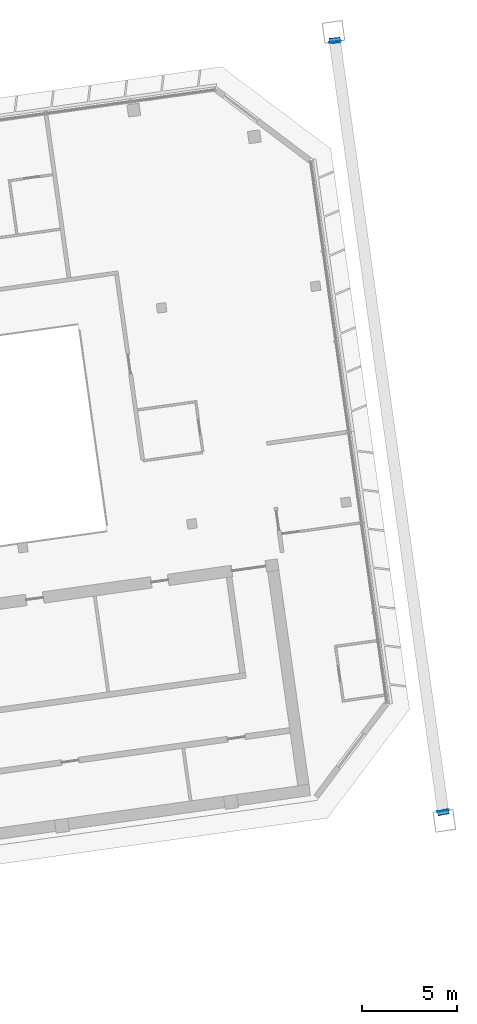
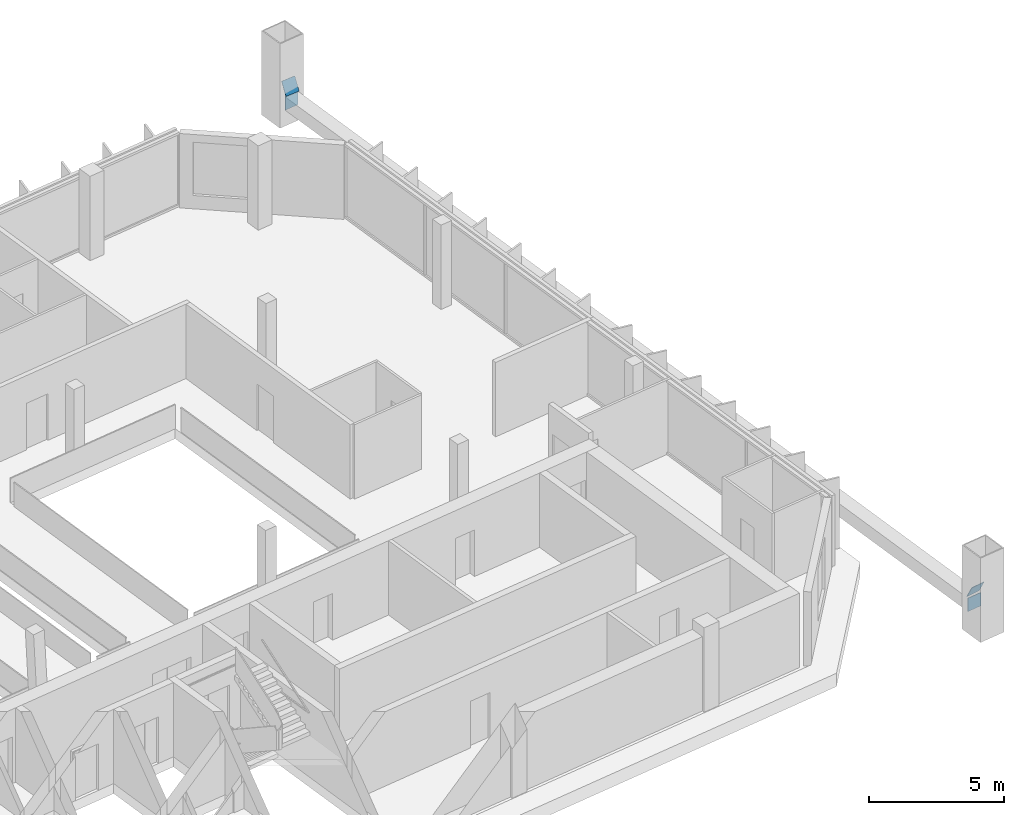
# One storey, part 24 of 26: 4 discrete accessories.
"""IFC4 building model written with IfcOpenShell, lengths in metres."""

import ifcopenshell
import ifcopenshell.guid

model = None  # the IFC model being written
_history = None  # IfcOwnerHistory: only IFC2X3 demands one
_inside = {}  # id of a spatial element -> (the spatial element, [elements in it])
_under = {}  # id of a project, library or spatial element -> (it, [spatial elements below it])
_declared = {}  # id of a project -> (the project, [libraries it declares])
_typed = {}  # id of a type object -> (the type object, [elements of that type])
_made_of = {}  # id of a material, layer set ... -> (it, [elements and type objects made of it])


def new_model(schema):
    """Start an empty IFC model of exactly this schema.

    Asked for "IFC4X3", IfcOpenShell would pick the latest addendum, in which some entities
    have other attributes; the version numbers below select the first issue.
    IFC2X3 requires an IfcOwnerHistory on every rooted entity: one is made here for all.
    """
    global model, _history
    if schema == "IFC4X3":
        model = ifcopenshell.file(schema_version=(4, 3, 0, 0))
    else:
        model = ifcopenshell.file(schema=schema)
    _inside.clear()
    _under.clear()
    _declared.clear()
    _typed.clear()
    _made_of.clear()
    _history = None
    if model.schema == "IFC2X3":
        org = make("IfcOrganization", Name="unknown")
        user = make(
            "IfcPersonAndOrganization",
            ThePerson=make("IfcPerson", FamilyName="unknown"),
            TheOrganization=org,
        )
        app = make(
            "IfcApplication",
            ApplicationDeveloper=org,
            Version="unknown",
            ApplicationFullName="unknown",
            ApplicationIdentifier="unknown",
        )
        _history = make(
            "IfcOwnerHistory",
            OwningUser=user,
            OwningApplication=app,
            ChangeAction="ADDED",
            CreationDate=0,
        )
    return model


def make(cls, **values):
    """One entity of the class cls with the attributes given. An attribute that is None is left unset."""
    return model.create_entity(
        cls, **{name: value for name, value in values.items() if value is not None}
    )


def rooted(cls, **values):
    """An entity with a GlobalId (a new one), such as an element, a storey or a relation."""
    return make(cls, GlobalId=ifcopenshell.guid.new(), OwnerHistory=_history, **values)


def si_unit(unit_type, name, prefix=None):
    """IfcSIUnit, for example si_unit("LENGTHUNIT", "METRE", prefix="MILLI")."""
    return make("IfcSIUnit", UnitType=unit_type, Prefix=prefix, Name=name)


def assignment(units):
    """IfcUnitAssignment: the units of a project."""
    return None if units is None else make("IfcUnitAssignment", Units=units)


def point(xyz):
    """IfcCartesianPoint."""
    return None if xyz is None else make("IfcCartesianPoint", Coordinates=xyz)


def direction(xyz):
    """IfcDirection."""
    return None if xyz is None else make("IfcDirection", DirectionRatios=xyz)


def frame(location, z_axis=None, x_axis=None):
    """IfcAxis2Placement3D, a coordinate frame: its origin and axes. An axis left out is left unset."""
    return make(
        "IfcAxis2Placement3D",
        Location=point(location),
        Axis=direction(z_axis),
        RefDirection=direction(x_axis),
    )


def frame_2d(location, x_axis=None):
    """IfcAxis2Placement2D, a coordinate frame in the plane: its origin and x axis."""
    return make(
        "IfcAxis2Placement2D", Location=point(location), RefDirection=direction(x_axis)
    )


def origin():
    """The frame at (0, 0, 0) with its axes left unset."""
    return frame((0.0, 0.0, 0.0))


def origin_2d():
    """The frame at (0, 0) in the plane with its x axis left unset."""
    return frame_2d((0.0, 0.0))


def place(relative_to, where):
    """IfcLocalPlacement: puts the frame where relative to a parent placement (None: the world)."""
    return make(
        "IfcLocalPlacement", PlacementRelTo=relative_to, RelativePlacement=where
    )


def context(
    kind, dimensions, precision=None, world=None, true_north=None, identifier=None
):
    """IfcGeometricRepresentationContext, for example the 3D "Model" context."""
    return make(
        "IfcGeometricRepresentationContext",
        ContextIdentifier=identifier,
        ContextType=kind,
        CoordinateSpaceDimension=dimensions,
        Precision=precision,
        WorldCoordinateSystem=world,
        TrueNorth=true_north,
    )


def subcontext(parent, identifier, kind, view, scale=None):
    """IfcGeometricRepresentationSubContext, for example "Body" below "Model"."""
    return make(
        "IfcGeometricRepresentationSubContext",
        ContextIdentifier=identifier,
        ContextType=kind,
        ParentContext=parent,
        TargetScale=scale,
        TargetView=view,
    )


def project(units=None, contexts=None):
    """IfcProject with its units and contexts."""
    return rooted(
        "IfcProject",
        Name="project",
        RepresentationContexts=contexts,
        UnitsInContext=assignment(units),
    )


def spatial(cls, under=None, at=None, **own):
    """A site, building, storey or space (cls), placed at a placement, below another one or the project."""
    s = rooted(cls, ObjectPlacement=at, **own)
    if under is not None:
        _under.setdefault(under.id(), (under, []))[1].append(s)
    return s


def profile(cls, at=None, kind="AREA", **sizes):
    """A parametric profile (cls). Its sizes go by their IFC names, for example OverallWidth=200.0."""
    return make(cls, ProfileType=kind, Position=at, **sizes)


def rectangle(**sizes):
    """IfcRectangleProfileDef."""
    return profile("IfcRectangleProfileDef", **sizes)


def extrude(swept, where, along, depth):
    """IfcExtrudedAreaSolid: the profile swept, set in the frame where, extruded along a direction by depth."""
    return make(
        "IfcExtrudedAreaSolid",
        SweptArea=swept,
        Position=where,
        ExtrudedDirection=direction(along),
        Depth=depth,
    )


def shape(context_of_items, identifier, shape_type, items):
    """IfcShapeRepresentation: the items that make up one representation, for example the "Body"."""
    return make(
        "IfcShapeRepresentation",
        ContextOfItems=context_of_items,
        RepresentationIdentifier=identifier,
        RepresentationType=shape_type,
        Items=items,
    )


def material(Name=None, Category=None):
    """IfcMaterial."""
    return make("IfcMaterial", Name=Name, Category=Category)


def material_profile(
    of_material, cross_section, Name=None, Category=None, Priority=None
):
    """IfcMaterialProfile: a cross section and its material."""
    return make(
        "IfcMaterialProfile",
        Name=Name,
        Material=of_material,
        Profile=cross_section,
        Priority=Priority,
        Category=Category,
    )


def profile_set(profiles, Name=None, composite=None):
    """IfcMaterialProfileSet."""
    return make(
        "IfcMaterialProfileSet",
        Name=Name,
        MaterialProfiles=profiles,
        CompositeProfile=composite,
    )


def made_of(thing, what):
    """Note that an element or type object is made of a material, layer set ...; save() writes the relation."""
    if what is not None:
        _made_of.setdefault(what.id(), (what, []))[1].append(thing)
    return thing


def type_object(cls, material=None, **own):
    """A type object (cls), such as IfcWallType, which elements share."""
    return made_of(rooted(cls, **own), material)


def element(
    cls,
    number,
    at=None,
    inside=None,
    cuts=None,
    type_object=None,
    material=None,
    context=None,
    identifier="Body",
    shape_type=None,
    held_by="IfcProductDefinitionShape",
    body=None,
    shapes=None,
    **own,
):
    """One element of the class cls, such as IfcWall. Its Tag is "e" and its number.

    at: its placement. inside: the storey or other place that contains it. cuts: it is an
    opening in that element (IfcRelVoidsElement). A single representation is given by context,
    identifier, shape_type and body (its items); several are given by shapes. held_by: the class
    of the entity that holds the representations. save() writes the other relations.
    """
    e = rooted(cls, Tag="e%d" % number, ObjectPlacement=at, **own)
    if body is not None:
        shapes = [shape(context, identifier, shape_type, body)]
    if shapes is not None:
        e.Representation = make(held_by, Representations=shapes)
    if inside is not None:
        _inside.setdefault(inside.id(), (inside, []))[1].append(e)
    if cuts is not None:
        rooted(
            "IfcRelVoidsElement", RelatingBuildingElement=cuts, RelatedOpeningElement=e
        )
    if type_object is not None:
        _typed.setdefault(type_object.id(), (type_object, []))[1].append(e)
    return made_of(e, material)


def aggregate(whole, parts):
    """IfcRelAggregates: a whole, such as a stair, and the parts it consists of."""
    return rooted("IfcRelAggregates", RelatingObject=whole, RelatedObjects=parts)


def save(model, path):
    """Write the relations noted so far, then the file.

    IfcRelAggregates (storeys below a building ...), IfcRelContainedInSpatialStructure (elements
    in a storey), IfcRelDefinesByType, IfcRelAssociatesMaterial and IfcRelDeclares: one each for
    every whole, place, type object, material and project.
    """
    for whole, parts in _under.values():
        aggregate(whole, parts)
    for where, things in _inside.values():
        rooted(
            "IfcRelContainedInSpatialStructure",
            RelatedElements=things,
            RelatingStructure=where,
        )
    for kind, things in _typed.values():
        rooted("IfcRelDefinesByType", RelatedObjects=things, RelatingType=kind)
    for what, things in _made_of.values():
        rooted("IfcRelAssociatesMaterial", RelatedObjects=things, RelatingMaterial=what)
    for by, libraries in _declared.values():
        rooted("IfcRelDeclares", RelatingContext=by, RelatedDefinitions=libraries)
    model.write(path)


model = new_model("IFC4")

# Units and contexts
model_context = context("Model", 3, precision=1e-05, world=origin(), true_north=direction((0.0, 1.0)))
body_context = subcontext(model_context, "Body", "Model", "MODEL_VIEW")
ifc_project = project(units=[si_unit("LENGTHUNIT", "METRE"), si_unit("AREAUNIT", "SQUARE_METRE"), si_unit("VOLUMEUNIT", "CUBIC_METRE"), si_unit("PLANEANGLEUNIT", "RADIAN"), si_unit("MASSUNIT", "GRAM", prefix="KILO")], contexts=[model_context])

# Site, building, storey
site_placement = place(None, origin())
site = spatial("IfcSite", under=ifc_project, at=site_placement, CompositionType="ELEMENT")
building_placement = place(site_placement, origin())
building = spatial("IfcBuilding", under=site, at=building_placement, Name="Mirante Cascada Hotel Towers", CompositionType="ELEMENT")
storey_placement = place(building_placement, frame((0.0, 0.0, 216.6)))
storey = spatial("IfcBuildingStorey", under=building, at=storey_placement, Name="L51", CompositionType="ELEMENT", Elevation=216.6)

# Discrete accessories
ifc_material = material(Name="Steel ASTM A572 Gr 50", Category="steel")
ifc_material_profile = material_profile(ifc_material, rectangle(XDim=0.6, YDim=0.6, at=origin_2d()), Name="Connection plate 600x600x25 ASTM A572 Gr 50")
ifc_profile_set = profile_set([ifc_material_profile], Name="Steel ASTM A572 Gr 50")
discrete_accessory_type = type_object("IfcDiscreteAccessoryType", Name="Connection plate 600x600x25 ASTM A572 Gr 50", PredefinedType="BRACKET", material=ifc_profile_set)
for number, where, z_axis, x_axis, name in (
    (1, (79.403, -15.8079, 1.6086), (-0.1640919, 0.8724887, 0.4602578), (-0.98277, -0.1848329, 0.0), "Connection plate MB-OL51L"),
    (2, (73.6832, 24.8904, 1.6086), (0.0839953, -0.8839505, 0.4599742), (0.9955157, 0.0945965, 0.0), "Connection plate MB-OL51R"),
):
    element("IfcDiscreteAccessory", number, at=place(storey_placement, frame(where, z_axis=z_axis, x_axis=x_axis)), inside=storey, type_object=discrete_accessory_type, Name=name, PredefinedType="BRACKET", context=body_context, shape_type="SweptSolid", body=[
        extrude(rectangle(XDim=0.6, YDim=0.6, at=origin_2d()), origin(), (0.0, 0.0, 1.0), 0.025),
    ])
discrete_accessory_1_placement = place(storey_placement, frame((79.3932, -15.742, 1.0), z_axis=(-0.1402989, 0.9901092, 0.0), x_axis=(-0.9901092, -0.1402989, 0.0)))
element("IfcDiscreteAccessory", 3, at=discrete_accessory_1_placement, inside=storey, type_object=discrete_accessory_type, Name="Connection plate NCH", PredefinedType="BRACKET", context=body_context, shape_type="SweptSolid", body=[
    extrude(rectangle(XDim=0.6, YDim=0.6, at=origin_2d()), origin(), (0.0, 0.0, 1.0), 0.0249),
])
discrete_accessory_2_placement = place(storey_placement, frame((73.6955, 24.7995, 1.0), z_axis=(-0.1397442, 0.9901876, 0.0), x_axis=(-0.9901876, -0.1397442, 0.0)))
element("IfcDiscreteAccessory", 4, at=discrete_accessory_2_placement, inside=storey, type_object=discrete_accessory_type, Name="Connection plate NCH", PredefinedType="BRACKET", context=body_context, shape_type="SweptSolid", body=[
    extrude(rectangle(XDim=0.6, YDim=0.6, at=origin_2d()), origin(), (0.0, 0.0, 1.0), 0.025),
])

save(model, "model.ifc")
